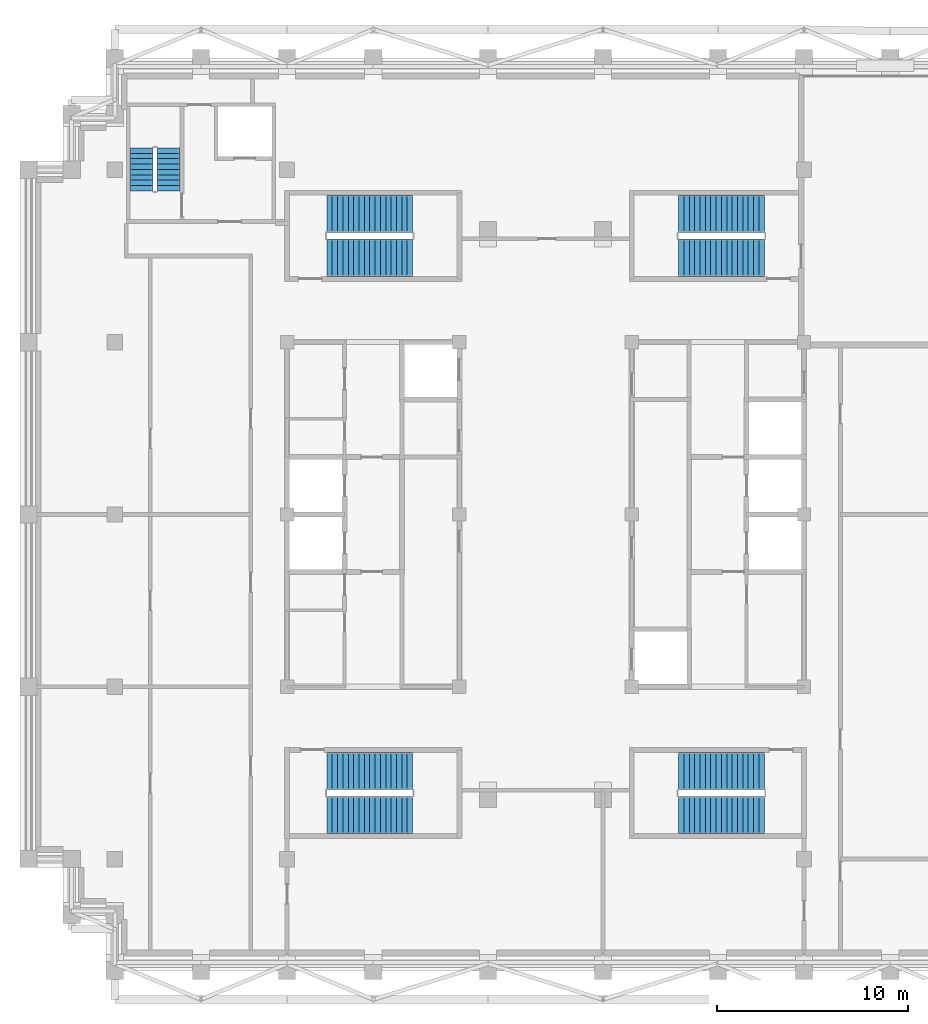
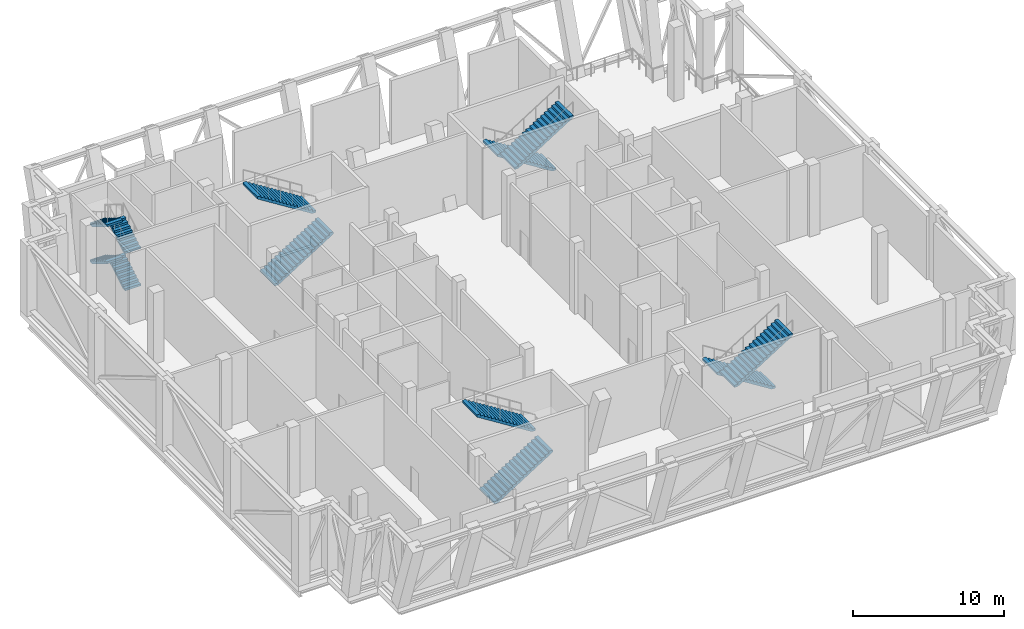
# One storey, part 7 of 9: 12 stair flights, 5 elements without a shape of their own.
"""IFC4 building model written with IfcOpenShell, lengths in metres."""

from ifc_helpers import new_model, si_unit, direction, frame, origin, place, context, subcontext, project, spatial, polyline, outline, extrude, material, type_object, element, aggregate, save


model = new_model("IFC4")

# Units and contexts
model_context = context("Model", 3, precision=1e-05, world=origin(), true_north=direction((0.0, 1.0)))
body_context = subcontext(model_context, "Body", "Model", "MODEL_VIEW")
ifc_project = project(units=[si_unit("LENGTHUNIT", "METRE"), si_unit("AREAUNIT", "SQUARE_METRE"), si_unit("VOLUMEUNIT", "CUBIC_METRE"), si_unit("PLANEANGLEUNIT", "RADIAN"), si_unit("MASSUNIT", "GRAM", prefix="KILO")], contexts=[model_context])

# Site, building, storey
site_placement = place(None, origin())
site = spatial("IfcSite", under=ifc_project, at=site_placement, CompositionType="ELEMENT")
building_placement = place(site_placement, origin())
building = spatial("IfcBuilding", under=site, at=building_placement, Name="Corbelhall Arena Tower", CompositionType="ELEMENT")
storey_placement = place(building_placement, frame((0.0, 0.0, 320.0)))
storey = spatial("IfcBuildingStorey", under=building, at=storey_placement, Name="L70", CompositionType="ELEMENT", Elevation=320.0)

# Stair, stair flights
ifc_material = material(Name="Concrete C40/50", Category="concrete")
stair_type = type_object("IfcStairType", Name="IN-ST-TOWER", PredefinedType="HALF_TURN_STAIR", material=ifc_material)
stair_1_placement = place(storey_placement, origin())
stair_1 = element("IfcStair", 1, at=stair_1_placement, inside=storey, type_object=stair_type, Name="L70 Exit stair ST1", PredefinedType="HALF_TURN_STAIR")
stair_flight_type = type_object("IfcStairFlightType", Name="IN-SFL-RC", PredefinedType="STRAIGHT", material=ifc_material)
stair_flight_1_placement = place(storey_placement, frame((-11.425048828125, 13.39990234375, 0.0), z_axis=(0.0, 0.0, 1.0), x_axis=(1.0, 0.0, 0.0)))
stair_flight_1 = element("IfcStairFlight", 2, at=stair_flight_1_placement, type_object=stair_flight_type, Name="ST1 flight 1", NumberOfRisers=17, NumberOfTreads=16, PredefinedType="STRAIGHT", RiserHeight=0.176470588, TreadLength=0.28, context=body_context, shape_type="SweptSolid", body=[
    extrude(outline(polyline([(0.0, 0.0), (0.0, 0.176513671875), (0.280029296875, 0.176513671875), (0.280029296875, 0.35302734375), (0.56005859375, 0.35302734375), (0.56005859375, 0.529296875), (0.840087890625, 0.529296875), (0.840087890625, 0.705810546875), (1.1201171875, 0.705810546875), (1.1201171875, 0.88232421875), (1.39990234375, 0.88232421875), (1.39990234375, 1.058837890625), (1.679931640625, 1.058837890625), (1.679931640625, 1.2353515625), (1.9599609375, 1.2353515625), (1.9599609375, 1.411865234375), (2.239990234375, 1.411865234375), (2.239990234375, 1.588134765625), (2.52001953125, 1.588134765625), (2.52001953125, 1.7646484375), (2.800048828125, 1.7646484375), (2.800048828125, 1.941162109375), (3.080078125, 1.941162109375), (3.080078125, 2.11767578125), (3.360107421875, 2.11767578125), (3.360107421875, 2.294189453125), (3.639892578125, 2.294189453125), (3.639892578125, 2.470703125), (3.919921875, 2.470703125), (3.919921875, 2.64697265625), (4.199951171875, 2.64697265625), (4.199951171875, 2.823486328125), (4.47998046875, 2.823486328125), (4.47998046875, 3.0), (4.47998046875, 2.646240234375), (0.28125, 0.0), (0.0, 0.0)])), frame((0.0, 0.97509765625, 0.0), z_axis=(0.0, -1.0, 0.0), x_axis=(1.0, 0.0, 0.0)), (0.0, 0.0, 1.0), 1.949951171875),
])
stair_flight_2_placement = place(storey_placement, frame((-6.945068359375, 15.699951171875, 3.0), z_axis=(0.0, 0.0, 1.0), x_axis=(-1.0, 0.0, 0.0)))
stair_flight_2 = element("IfcStairFlight", 3, at=stair_flight_2_placement, type_object=stair_flight_type, Name="ST1 flight 2", NumberOfRisers=17, NumberOfTreads=16, PredefinedType="STRAIGHT", RiserHeight=0.176470588, TreadLength=0.28, context=body_context, shape_type="SweptSolid", body=[
    extrude(outline(polyline([(0.0, 0.0), (0.0, 0.176513671875), (0.280029296875, 0.176513671875), (0.280029296875, 0.35302734375), (0.56005859375, 0.35302734375), (0.56005859375, 0.529296875), (0.840087890625, 0.529296875), (0.840087890625, 0.705810546875), (1.1201171875, 0.705810546875), (1.1201171875, 0.88232421875), (1.39990234375, 0.88232421875), (1.39990234375, 1.058837890625), (1.679931640625, 1.058837890625), (1.679931640625, 1.2353515625), (1.9599609375, 1.2353515625), (1.9599609375, 1.411865234375), (2.239990234375, 1.411865234375), (2.239990234375, 1.588134765625), (2.52001953125, 1.588134765625), (2.52001953125, 1.7646484375), (2.800048828125, 1.7646484375), (2.800048828125, 1.941162109375), (3.080078125, 1.941162109375), (3.080078125, 2.11767578125), (3.360107421875, 2.11767578125), (3.360107421875, 2.294189453125), (3.639892578125, 2.294189453125), (3.639892578125, 2.470703125), (3.919921875, 2.470703125), (3.919921875, 2.64697265625), (4.199951171875, 2.64697265625), (4.199951171875, 2.823486328125), (4.47998046875, 2.823486328125), (4.47998046875, 3.0), (4.47998046875, 2.646240234375), (0.28125, 0.0), (0.0, 0.0)])), frame((0.0, 0.97509765625, 0.0), z_axis=(0.0, -1.0, 0.0), x_axis=(1.0, 0.0, 0.0)), (0.0, 0.0, 1.0), 1.949951171875),
])
aggregate(stair_1, [stair_flight_1, stair_flight_2])

stair_2_placement = place(storey_placement, origin())
stair_2 = element("IfcStair", 4, at=stair_2_placement, inside=storey, type_object=stair_type, Name="L70 Exit stair ST2", PredefinedType="HALF_TURN_STAIR")
stair_flight_3_placement = place(storey_placement, frame((-11.425048828125, -15.699951171875, 0.0), z_axis=(0.0, 0.0, 1.0), x_axis=(1.0, 0.0, 0.0)))
stair_flight_3 = element("IfcStairFlight", 5, at=stair_flight_3_placement, type_object=stair_flight_type, Name="ST2 flight 1", NumberOfRisers=17, NumberOfTreads=16, PredefinedType="STRAIGHT", RiserHeight=0.176470588, TreadLength=0.28, context=body_context, shape_type="SweptSolid", body=[
    extrude(outline(polyline([(0.0, 0.0), (0.0, 0.176513671875), (0.280029296875, 0.176513671875), (0.280029296875, 0.35302734375), (0.56005859375, 0.35302734375), (0.56005859375, 0.529296875), (0.840087890625, 0.529296875), (0.840087890625, 0.705810546875), (1.1201171875, 0.705810546875), (1.1201171875, 0.88232421875), (1.39990234375, 0.88232421875), (1.39990234375, 1.058837890625), (1.679931640625, 1.058837890625), (1.679931640625, 1.2353515625), (1.9599609375, 1.2353515625), (1.9599609375, 1.411865234375), (2.239990234375, 1.411865234375), (2.239990234375, 1.588134765625), (2.52001953125, 1.588134765625), (2.52001953125, 1.7646484375), (2.800048828125, 1.7646484375), (2.800048828125, 1.941162109375), (3.080078125, 1.941162109375), (3.080078125, 2.11767578125), (3.360107421875, 2.11767578125), (3.360107421875, 2.294189453125), (3.639892578125, 2.294189453125), (3.639892578125, 2.470703125), (3.919921875, 2.470703125), (3.919921875, 2.64697265625), (4.199951171875, 2.64697265625), (4.199951171875, 2.823486328125), (4.47998046875, 2.823486328125), (4.47998046875, 3.0), (4.47998046875, 2.646240234375), (0.28125, 0.0), (0.0, 0.0)])), frame((0.0, 0.97509765625, 0.0), z_axis=(0.0, -1.0, 0.0), x_axis=(1.0, 0.0, 0.0)), (0.0, 0.0, 1.0), 1.949951171875),
])
stair_flight_4_placement = place(storey_placement, frame((-6.945068359375, -13.39990234375, 3.0), z_axis=(0.0, 0.0, 1.0), x_axis=(-1.0, 0.0, 0.0)))
stair_flight_4 = element("IfcStairFlight", 6, at=stair_flight_4_placement, type_object=stair_flight_type, Name="ST2 flight 2", NumberOfRisers=17, NumberOfTreads=16, PredefinedType="STRAIGHT", RiserHeight=0.176470588, TreadLength=0.28, context=body_context, shape_type="SweptSolid", body=[
    extrude(outline(polyline([(0.0, 0.0), (0.0, 0.176513671875), (0.280029296875, 0.176513671875), (0.280029296875, 0.35302734375), (0.56005859375, 0.35302734375), (0.56005859375, 0.529296875), (0.840087890625, 0.529296875), (0.840087890625, 0.705810546875), (1.1201171875, 0.705810546875), (1.1201171875, 0.88232421875), (1.39990234375, 0.88232421875), (1.39990234375, 1.058837890625), (1.679931640625, 1.058837890625), (1.679931640625, 1.2353515625), (1.9599609375, 1.2353515625), (1.9599609375, 1.411865234375), (2.239990234375, 1.411865234375), (2.239990234375, 1.588134765625), (2.52001953125, 1.588134765625), (2.52001953125, 1.7646484375), (2.800048828125, 1.7646484375), (2.800048828125, 1.941162109375), (3.080078125, 1.941162109375), (3.080078125, 2.11767578125), (3.360107421875, 2.11767578125), (3.360107421875, 2.294189453125), (3.639892578125, 2.294189453125), (3.639892578125, 2.470703125), (3.919921875, 2.470703125), (3.919921875, 2.64697265625), (4.199951171875, 2.64697265625), (4.199951171875, 2.823486328125), (4.47998046875, 2.823486328125), (4.47998046875, 3.0), (4.47998046875, 2.646240234375), (0.28125, 0.0), (0.0, 0.0)])), frame((0.0, 0.97509765625, 0.0), z_axis=(0.0, -1.0, 0.0), x_axis=(1.0, 0.0, 0.0)), (0.0, 0.0, 1.0), 1.949951171875),
])
aggregate(stair_2, [stair_flight_3, stair_flight_4])

stair_3_placement = place(storey_placement, origin())
stair_3 = element("IfcStair", 7, at=stair_3_placement, inside=storey, type_object=stair_type, Name="L70 Exit stair ST3", PredefinedType="HALF_TURN_STAIR")
stair_flight_5_placement = place(storey_placement, frame((11.425048828125, 15.699951171875, 0.0), z_axis=(0.0, 0.0, 1.0), x_axis=(-1.0, 0.0, 0.0)))
stair_flight_5 = element("IfcStairFlight", 8, at=stair_flight_5_placement, type_object=stair_flight_type, Name="ST3 flight 1", NumberOfRisers=17, NumberOfTreads=16, PredefinedType="STRAIGHT", RiserHeight=0.176470588, TreadLength=0.28, context=body_context, shape_type="SweptSolid", body=[
    extrude(outline(polyline([(0.0, 0.0), (0.0, 0.176513671875), (0.280029296875, 0.176513671875), (0.280029296875, 0.35302734375), (0.56005859375, 0.35302734375), (0.56005859375, 0.529296875), (0.840087890625, 0.529296875), (0.840087890625, 0.705810546875), (1.1201171875, 0.705810546875), (1.1201171875, 0.88232421875), (1.39990234375, 0.88232421875), (1.39990234375, 1.058837890625), (1.679931640625, 1.058837890625), (1.679931640625, 1.2353515625), (1.9599609375, 1.2353515625), (1.9599609375, 1.411865234375), (2.239990234375, 1.411865234375), (2.239990234375, 1.588134765625), (2.52001953125, 1.588134765625), (2.52001953125, 1.7646484375), (2.800048828125, 1.7646484375), (2.800048828125, 1.941162109375), (3.080078125, 1.941162109375), (3.080078125, 2.11767578125), (3.360107421875, 2.11767578125), (3.360107421875, 2.294189453125), (3.639892578125, 2.294189453125), (3.639892578125, 2.470703125), (3.919921875, 2.470703125), (3.919921875, 2.64697265625), (4.199951171875, 2.64697265625), (4.199951171875, 2.823486328125), (4.47998046875, 2.823486328125), (4.47998046875, 3.0), (4.47998046875, 2.646240234375), (0.28125, 0.0), (0.0, 0.0)])), frame((0.0, 0.97509765625, 0.0), z_axis=(0.0, -1.0, 0.0), x_axis=(1.0, 0.0, 0.0)), (0.0, 0.0, 1.0), 1.949951171875),
])
stair_flight_6_placement = place(storey_placement, frame((6.945068359375, 13.39990234375, 3.0), z_axis=(0.0, 0.0, 1.0), x_axis=(1.0, 0.0, 0.0)))
stair_flight_6 = element("IfcStairFlight", 9, at=stair_flight_6_placement, type_object=stair_flight_type, Name="ST3 flight 2", NumberOfRisers=17, NumberOfTreads=16, PredefinedType="STRAIGHT", RiserHeight=0.176470588, TreadLength=0.28, context=body_context, shape_type="SweptSolid", body=[
    extrude(outline(polyline([(0.0, 0.0), (0.0, 0.176513671875), (0.280029296875, 0.176513671875), (0.280029296875, 0.35302734375), (0.56005859375, 0.35302734375), (0.56005859375, 0.529296875), (0.840087890625, 0.529296875), (0.840087890625, 0.705810546875), (1.1201171875, 0.705810546875), (1.1201171875, 0.88232421875), (1.39990234375, 0.88232421875), (1.39990234375, 1.058837890625), (1.679931640625, 1.058837890625), (1.679931640625, 1.2353515625), (1.9599609375, 1.2353515625), (1.9599609375, 1.411865234375), (2.239990234375, 1.411865234375), (2.239990234375, 1.588134765625), (2.52001953125, 1.588134765625), (2.52001953125, 1.7646484375), (2.800048828125, 1.7646484375), (2.800048828125, 1.941162109375), (3.080078125, 1.941162109375), (3.080078125, 2.11767578125), (3.360107421875, 2.11767578125), (3.360107421875, 2.294189453125), (3.639892578125, 2.294189453125), (3.639892578125, 2.470703125), (3.919921875, 2.470703125), (3.919921875, 2.64697265625), (4.199951171875, 2.64697265625), (4.199951171875, 2.823486328125), (4.47998046875, 2.823486328125), (4.47998046875, 3.0), (4.47998046875, 2.646240234375), (0.28125, 0.0), (0.0, 0.0)])), frame((0.0, 0.97509765625, 0.0), z_axis=(0.0, -1.0, 0.0), x_axis=(1.0, 0.0, 0.0)), (0.0, 0.0, 1.0), 1.949951171875),
])
aggregate(stair_3, [stair_flight_5, stair_flight_6])

stair_4_placement = place(storey_placement, origin())
stair_4 = element("IfcStair", 10, at=stair_4_placement, inside=storey, type_object=stair_type, Name="L70 Exit stair ST4", PredefinedType="HALF_TURN_STAIR")
stair_flight_7_placement = place(storey_placement, frame((11.425048828125, -13.39990234375, 0.0), z_axis=(0.0, 0.0, 1.0), x_axis=(-1.0, 0.0, 0.0)))
stair_flight_7 = element("IfcStairFlight", 11, at=stair_flight_7_placement, type_object=stair_flight_type, Name="ST4 flight 1", NumberOfRisers=17, NumberOfTreads=16, PredefinedType="STRAIGHT", RiserHeight=0.176470588, TreadLength=0.28, context=body_context, shape_type="SweptSolid", body=[
    extrude(outline(polyline([(0.0, 0.0), (0.0, 0.176513671875), (0.280029296875, 0.176513671875), (0.280029296875, 0.35302734375), (0.56005859375, 0.35302734375), (0.56005859375, 0.529296875), (0.840087890625, 0.529296875), (0.840087890625, 0.705810546875), (1.1201171875, 0.705810546875), (1.1201171875, 0.88232421875), (1.39990234375, 0.88232421875), (1.39990234375, 1.058837890625), (1.679931640625, 1.058837890625), (1.679931640625, 1.2353515625), (1.9599609375, 1.2353515625), (1.9599609375, 1.411865234375), (2.239990234375, 1.411865234375), (2.239990234375, 1.588134765625), (2.52001953125, 1.588134765625), (2.52001953125, 1.7646484375), (2.800048828125, 1.7646484375), (2.800048828125, 1.941162109375), (3.080078125, 1.941162109375), (3.080078125, 2.11767578125), (3.360107421875, 2.11767578125), (3.360107421875, 2.294189453125), (3.639892578125, 2.294189453125), (3.639892578125, 2.470703125), (3.919921875, 2.470703125), (3.919921875, 2.64697265625), (4.199951171875, 2.64697265625), (4.199951171875, 2.823486328125), (4.47998046875, 2.823486328125), (4.47998046875, 3.0), (4.47998046875, 2.646240234375), (0.28125, 0.0), (0.0, 0.0)])), frame((0.0, 0.97509765625, 0.0), z_axis=(0.0, -1.0, 0.0), x_axis=(1.0, 0.0, 0.0)), (0.0, 0.0, 1.0), 1.949951171875),
])
stair_flight_8_placement = place(storey_placement, frame((6.945068359375, -15.699951171875, 3.0), z_axis=(0.0, 0.0, 1.0), x_axis=(1.0, 0.0, 0.0)))
stair_flight_8 = element("IfcStairFlight", 12, at=stair_flight_8_placement, type_object=stair_flight_type, Name="ST4 flight 2", NumberOfRisers=17, NumberOfTreads=16, PredefinedType="STRAIGHT", RiserHeight=0.176470588, TreadLength=0.28, context=body_context, shape_type="SweptSolid", body=[
    extrude(outline(polyline([(0.0, 0.0), (0.0, 0.176513671875), (0.280029296875, 0.176513671875), (0.280029296875, 0.35302734375), (0.56005859375, 0.35302734375), (0.56005859375, 0.529296875), (0.840087890625, 0.529296875), (0.840087890625, 0.705810546875), (1.1201171875, 0.705810546875), (1.1201171875, 0.88232421875), (1.39990234375, 0.88232421875), (1.39990234375, 1.058837890625), (1.679931640625, 1.058837890625), (1.679931640625, 1.2353515625), (1.9599609375, 1.2353515625), (1.9599609375, 1.411865234375), (2.239990234375, 1.411865234375), (2.239990234375, 1.588134765625), (2.52001953125, 1.588134765625), (2.52001953125, 1.7646484375), (2.800048828125, 1.7646484375), (2.800048828125, 1.941162109375), (3.080078125, 1.941162109375), (3.080078125, 2.11767578125), (3.360107421875, 2.11767578125), (3.360107421875, 2.294189453125), (3.639892578125, 2.294189453125), (3.639892578125, 2.470703125), (3.919921875, 2.470703125), (3.919921875, 2.64697265625), (4.199951171875, 2.64697265625), (4.199951171875, 2.823486328125), (4.47998046875, 2.823486328125), (4.47998046875, 3.0), (4.47998046875, 2.646240234375), (0.28125, 0.0), (0.0, 0.0)])), frame((0.0, 0.97509765625, 0.0), z_axis=(0.0, -1.0, 0.0), x_axis=(1.0, 0.0, 0.0)), (0.0, 0.0, 1.0), 1.949951171875),
])
aggregate(stair_4, [stair_flight_7, stair_flight_8])

stair_5_placement = place(storey_placement, origin())
stair_5 = element("IfcStair", 13, at=stair_5_placement, inside=storey, type_object=stair_type, Name="L70 Exit stair ST5", PredefinedType="HALF_TURN_STAIR")
stair_flight_9_placement = place(storey_placement, frame((-19.695068359375, 16.89990234375, 0.0), z_axis=(0.0, 0.0, 1.0), x_axis=(0.0, 1.0, 0.0)))
stair_flight_9 = element("IfcStairFlight", 14, at=stair_flight_9_placement, type_object=stair_flight_type, Name="ST5 flight 1", NumberOfRisers=9, NumberOfTreads=8, PredefinedType="STRAIGHT", RiserHeight=0.166666667, TreadLength=0.28, context=body_context, shape_type="SweptSolid", body=[
    extrude(outline(polyline([(0.0, 0.0), (0.0, 0.166748046875), (0.280029296875, 0.166748046875), (0.280029296875, 0.333251953125), (0.56005859375, 0.333251953125), (0.56005859375, 0.5), (0.840087890625, 0.5), (0.840087890625, 0.666748046875), (1.1201171875, 0.666748046875), (1.1201171875, 0.833251953125), (1.39990234375, 0.833251953125), (1.39990234375, 1.0), (1.679931640625, 1.0), (1.679931640625, 1.166748046875), (1.9599609375, 1.166748046875), (1.9599609375, 1.333251953125), (2.239990234375, 1.333251953125), (2.239990234375, 1.5), (2.239990234375, 1.158935546875), (0.29296875, 0.0), (0.0, 0.0)])), frame((0.0, 0.60009765625, 0.0), z_axis=(0.0, -1.0, 0.0), x_axis=(1.0, 0.0, 0.0)), (0.0, 0.0, 1.0), 1.199951171875),
])
stair_flight_10_placement = place(storey_placement, frame((-21.094970703125, 19.139892578125, 1.5), z_axis=(0.0, 0.0, 1.0), x_axis=(0.0, -1.0, 0.0)))
stair_flight_10 = element("IfcStairFlight", 15, at=stair_flight_10_placement, type_object=stair_flight_type, Name="ST5 flight 2", NumberOfRisers=9, NumberOfTreads=8, PredefinedType="STRAIGHT", RiserHeight=0.166666667, TreadLength=0.28, context=body_context, shape_type="SweptSolid", body=[
    extrude(outline(polyline([(0.0, 0.0), (0.0, 0.166748046875), (0.280029296875, 0.166748046875), (0.280029296875, 0.333251953125), (0.56005859375, 0.333251953125), (0.56005859375, 0.5), (0.840087890625, 0.5), (0.840087890625, 0.666748046875), (1.1201171875, 0.666748046875), (1.1201171875, 0.833251953125), (1.39990234375, 0.833251953125), (1.39990234375, 1.0), (1.679931640625, 1.0), (1.679931640625, 1.166748046875), (1.9599609375, 1.166748046875), (1.9599609375, 1.333251953125), (2.239990234375, 1.333251953125), (2.239990234375, 1.5), (2.239990234375, 1.158935546875), (0.29296875, 0.0), (0.0, 0.0)])), frame((0.0, 0.60009765625, 0.0), z_axis=(0.0, -1.0, 0.0), x_axis=(1.0, 0.0, 0.0)), (0.0, 0.0, 1.0), 1.199951171875),
])
stair_flight_11_placement = place(storey_placement, frame((-19.695068359375, 16.89990234375, 3.0), z_axis=(0.0, 0.0, 1.0), x_axis=(0.0, 1.0, 0.0)))
stair_flight_11 = element("IfcStairFlight", 16, at=stair_flight_11_placement, type_object=stair_flight_type, Name="ST5 flight 3", NumberOfRisers=9, NumberOfTreads=8, PredefinedType="STRAIGHT", RiserHeight=0.166666667, TreadLength=0.28, context=body_context, shape_type="SweptSolid", body=[
    extrude(outline(polyline([(0.0, 0.0), (0.0, 0.166748046875), (0.280029296875, 0.166748046875), (0.280029296875, 0.333251953125), (0.56005859375, 0.333251953125), (0.56005859375, 0.5), (0.840087890625, 0.5), (0.840087890625, 0.666748046875), (1.1201171875, 0.666748046875), (1.1201171875, 0.833251953125), (1.39990234375, 0.833251953125), (1.39990234375, 1.0), (1.679931640625, 1.0), (1.679931640625, 1.166748046875), (1.9599609375, 1.166748046875), (1.9599609375, 1.333251953125), (2.239990234375, 1.333251953125), (2.239990234375, 1.5), (2.239990234375, 1.158935546875), (0.29296875, 0.0), (0.0, 0.0)])), frame((0.0, 0.60009765625, 0.0), z_axis=(0.0, -1.0, 0.0), x_axis=(1.0, 0.0, 0.0)), (0.0, 0.0, 1.0), 1.199951171875),
])
stair_flight_12_placement = place(storey_placement, frame((-21.094970703125, 19.139892578125, 4.5), z_axis=(0.0, 0.0, 1.0), x_axis=(0.0, -1.0, 0.0)))
stair_flight_12 = element("IfcStairFlight", 17, at=stair_flight_12_placement, type_object=stair_flight_type, Name="ST5 flight 4", NumberOfRisers=9, NumberOfTreads=8, PredefinedType="STRAIGHT", RiserHeight=0.166666667, TreadLength=0.28, context=body_context, shape_type="SweptSolid", body=[
    extrude(outline(polyline([(0.0, 0.0), (0.0, 0.166748046875), (0.280029296875, 0.166748046875), (0.280029296875, 0.333251953125), (0.56005859375, 0.333251953125), (0.56005859375, 0.5), (0.840087890625, 0.5), (0.840087890625, 0.666748046875), (1.1201171875, 0.666748046875), (1.1201171875, 0.833251953125), (1.39990234375, 0.833251953125), (1.39990234375, 1.0), (1.679931640625, 1.0), (1.679931640625, 1.166748046875), (1.9599609375, 1.166748046875), (1.9599609375, 1.333251953125), (2.239990234375, 1.333251953125), (2.239990234375, 1.5), (2.239990234375, 1.158935546875), (0.29296875, 0.0), (0.0, 0.0)])), frame((0.0, 0.60009765625, 0.0), z_axis=(0.0, -1.0, 0.0), x_axis=(1.0, 0.0, 0.0)), (0.0, 0.0, 1.0), 1.199951171875),
])
aggregate(stair_5, [stair_flight_9, stair_flight_10, stair_flight_11, stair_flight_12])

save(model, "model.ifc")
